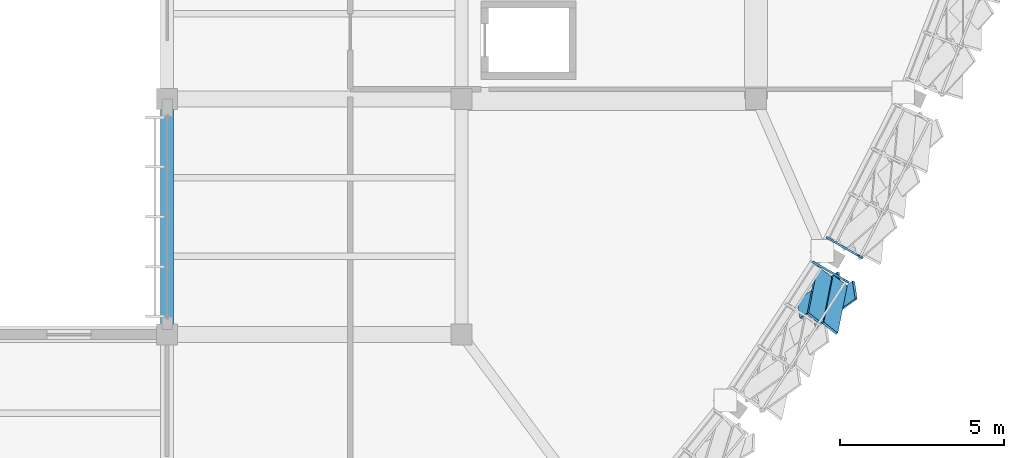
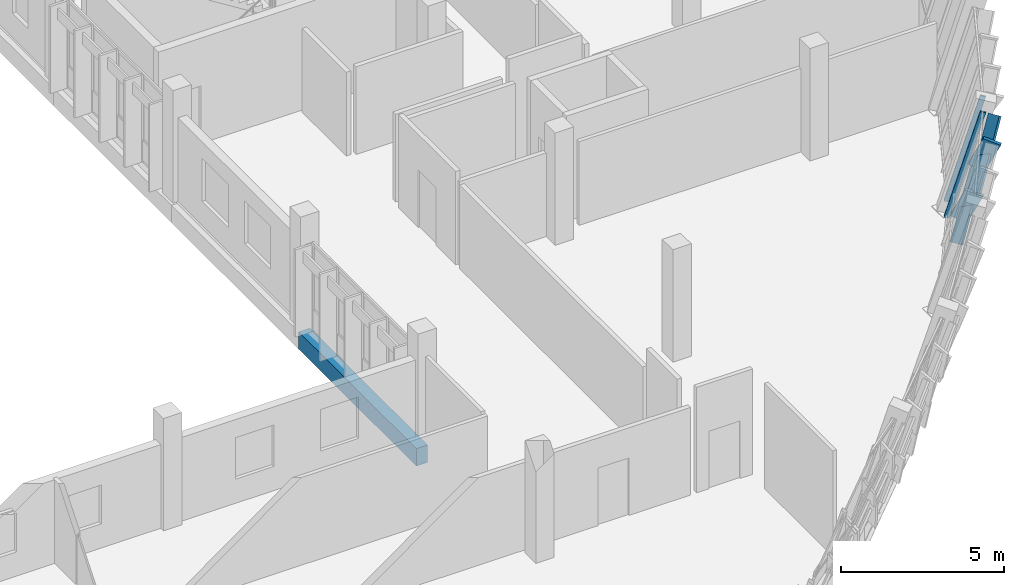
# One storey, part 93 of 182: 6 members, 1 beam, 2 elements without a shape of their own.
"""IFC4 building model written with IfcOpenShell, lengths in metres."""

from ifc_helpers import new_model, si_unit, direction, frame, origin, origin_2d, place, context, subcontext, project, spatial, rectangle, hollow_rectangle, extrude, material, material_profile, profile_set, type_object, element, aggregate, save


model = new_model("IFC4")

# Units and contexts
model_context = context("Model", 3, precision=1e-05, world=origin(), true_north=direction((0.0, 1.0)))
body_context = subcontext(model_context, "Body", "Model", "MODEL_VIEW")
ifc_project = project(units=[si_unit("LENGTHUNIT", "METRE"), si_unit("AREAUNIT", "SQUARE_METRE"), si_unit("VOLUMEUNIT", "CUBIC_METRE"), si_unit("PLANEANGLEUNIT", "RADIAN"), si_unit("MASSUNIT", "GRAM", prefix="KILO")], contexts=[model_context])

# Site, building, storey
site_placement = place(None, origin())
site = spatial("IfcSite", under=ifc_project, at=site_placement, CompositionType="ELEMENT")
building_placement = place(site_placement, origin())
building = spatial("IfcBuilding", under=site, at=building_placement, Name="Chiffa Square Polytechnic", CompositionType="ELEMENT")
storey_placement = place(building_placement, frame((0.0, 0.0, 9.60009765625)))
storey = spatial("IfcBuildingStorey", under=building, at=storey_placement, Name="L02", CompositionType="ELEMENT", Elevation=9.60009765625)

# Beam
ifc_material_1 = material(Name="Concrete C35/45", Category="concrete")
ifc_material_profile_1 = material_profile(ifc_material_1, rectangle(XDim=0.39990234375, YDim=0.64990234375, at=origin_2d()), Name="RC 400x650")
ifc_profile_set_1 = profile_set([ifc_material_profile_1], Name="Concrete C35/45")
beam_type = type_object("IfcBeamType", Name="BM-RC-400X650", PredefinedType="BEAM", material=ifc_profile_set_1)
beam_placement = place(storey_placement, frame((148.199951171875, 28.800048828125, -0.64501953125), z_axis=(0.0, 1.0, 0.0), x_axis=(-1.0, 0.0, 0.0)))
element("IfcBeam", 1, at=beam_placement, inside=storey, type_object=beam_type, Name="Primary floor girder BM-V1-L02-Y-1482-0288", PredefinedType="BEAM", context=body_context, shape_type="SweptSolid", body=[
    extrude(rectangle(XDim=0.39990234375, YDim=0.64990234375, at=origin_2d()), origin(), (0.0, 0.0, 1.0), 7.199951171875),
])

# Curtain wall, member
ifc_material_2 = material(Name="Aluminium EN AW-6060 T66 and glulam shading", Category="wood")
curtain_wall_type_1 = type_object("IfcCurtainWallType", Name="CW-PROW-LEAN-300", PredefinedType="USERDEFINED", material=ifc_material_2)
curtain_wall_1_placement = place(storey_placement, origin())
curtain_wall_1 = element("IfcCurtainWall", 2, at=curtain_wall_1_placement, inside=storey, type_object=curtain_wall_type_1, Name="Outward-leaning diamond-fin prow curtain wall CW-V1-L02-038", ObjectType="CURTAIN WALL", PredefinedType="USERDEFINED")
ifc_material_3 = material(Name="Aluminium EN AW-6060 T66", Category="aluminium")
ifc_material_profile_2 = material_profile(ifc_material_3, hollow_rectangle(XDim=0.06494140625, YDim=0.179931640625, WallThickness=0.00390625, at=origin_2d()), Name="ALU 65x180x4")
ifc_profile_set_2 = profile_set([ifc_material_profile_2], Name="Aluminium EN AW-6060 T66")
member_type_1 = type_object("IfcMemberType", Name="CWM-ALU-75X180", PredefinedType="MULLION", material=ifc_profile_set_2)
member_1_placement = place(storey_placement, frame((167.9990234375, 30.989013671875, 0.0), z_axis=(0.235928747587, -0.13605999545, 0.962198162387), x_axis=(0.499577147228, 0.866269400341, 0.0)))
member_1 = element("IfcMember", 3, at=member_1_placement, type_object=member_type_1, Name="Leaning prow mullion CW-V1-L02-038-M03", PredefinedType="MULLION", context=body_context, shape_type="SweptSolid", body=[
    extrude(hollow_rectangle(XDim=0.06494140625, YDim=0.179931640625, WallThickness=0.00390625, at=origin_2d()), origin(), (0.0, 0.0, 1.0), 4.0947265625),
])

curtain_wall_type_2 = type_object("IfcCurtainWallType", Name="CW-PROW-LEAN-150", PredefinedType="USERDEFINED", material=ifc_material_2)
curtain_wall_2_placement = place(storey_placement, origin())
curtain_wall_2 = element("IfcCurtainWall", 4, at=curtain_wall_2_placement, inside=storey, type_object=curtain_wall_type_2, Name="Outward-leaning diamond-fin prow curtain wall CW-V1-L02-039", ObjectType="CURTAIN WALL", PredefinedType="USERDEFINED")
member_2_placement = place(storey_placement, frame((168.427978515625, 31.73291015625, 0.0), z_axis=(0.235930661122, -0.136001475365, 0.962205966434), x_axis=(0.499412837182, 0.866364137103, 0.0)))
member_2 = element("IfcMember", 5, at=member_2_placement, type_object=member_type_1, Name="Leaning prow mullion CW-V1-L02-039-M00", PredefinedType="MULLION", context=body_context, shape_type="SweptSolid", body=[
    extrude(hollow_rectangle(XDim=0.06494140625, YDim=0.179931640625, WallThickness=0.00390625, at=origin_2d()), origin(), (0.0, 0.0, 1.0), 4.0947265625),
])
aggregate(curtain_wall_2, [member_2])

# Member
ifc_material_4 = material(Name="Glulam GL28h", Category="wood")
ifc_material_profile_3 = material_profile(ifc_material_4, rectangle(XDim=0.080078125, YDim=0.580078125, at=origin_2d()), Name="GL28h 80x580")
ifc_profile_set_3 = profile_set([ifc_material_profile_3], Name="Glulam GL28h")
member_type_2 = type_object("IfcMemberType", Name="CWM-GL-80X580", PredefinedType="MULLION", material=ifc_profile_set_3)
member_3_placement = place(storey_placement, frame((167.537109375, 29.568115234375, 0.039794921875), z_axis=(0.497308855615, 0.355463717047, 0.791409785124), x_axis=(-0.856684562033, 0.057127333195, 0.512667561852)))
member_3 = element("IfcMember", 6, at=member_3_placement, type_object=member_type_2, Name="Diamond glulam fin CW-V1-L02-038-DF05A", PredefinedType="MULLION", context=body_context, shape_type="SweptSolid", body=[
    extrude(rectangle(XDim=0.080078125, YDim=0.580078125, at=origin_2d()), origin(), (0.0, 0.0, 1.0), 2.43896484375),
])

member_4_placement = place(storey_placement, frame((168.277099609375, 30.708984375, 0.039794921875), z_axis=(-0.114622685333, -0.591089495376, 0.798420220475), x_axis=(0.662153591493, 0.553682141595, 0.504964065406)))
member_4 = element("IfcMember", 7, at=member_4_placement, type_object=member_type_2, Name="Diamond glulam fin CW-V1-L02-038-DF05B", PredefinedType="MULLION", context=body_context, shape_type="SweptSolid", body=[
    extrude(rectangle(XDim=0.080078125, YDim=0.580078125, at=origin_2d()), origin(), (0.0, 0.0, 1.0), 2.41748046875),
])

member_5_placement = place(storey_placement, frame((168.0, 29.280029296875, 1.969970703125), z_axis=(0.49941204598, 0.359728221581, 0.788151771506), x_axis=(-0.854670239908, 0.055597254691, 0.516185747853)))
member_5 = element("IfcMember", 8, at=member_5_placement, type_object=member_type_2, Name="Diamond glulam fin CW-V1-L02-038-DF06A", PredefinedType="MULLION", context=body_context, shape_type="SweptSolid", body=[
    extrude(rectangle(XDim=0.080078125, YDim=0.580078125, at=origin_2d()), origin(), (0.0, 0.0, 1.0), 2.44873046875),
])

member_6_placement = place(storey_placement, frame((168.75, 30.43505859375, 1.969970703125), z_axis=(-0.118304876986, -0.594642965871, 0.795238139944), x_axis=(0.664308455269, 0.547849142718, 0.508483621252)))
member_6 = element("IfcMember", 9, at=member_6_placement, type_object=member_type_2, Name="Diamond glulam fin CW-V1-L02-038-DF06B", PredefinedType="MULLION", context=body_context, shape_type="SweptSolid", body=[
    extrude(rectangle(XDim=0.080078125, YDim=0.580078125, at=origin_2d()), origin(), (0.0, 0.0, 1.0), 2.4267578125),
])

aggregate(curtain_wall_1, [member_1, member_3, member_4, member_5, member_6])

save(model, "model.ifc")
